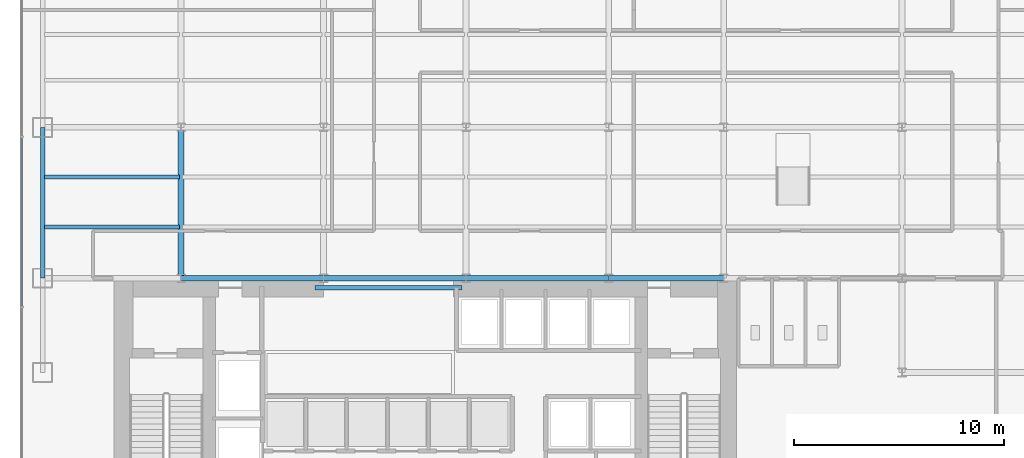
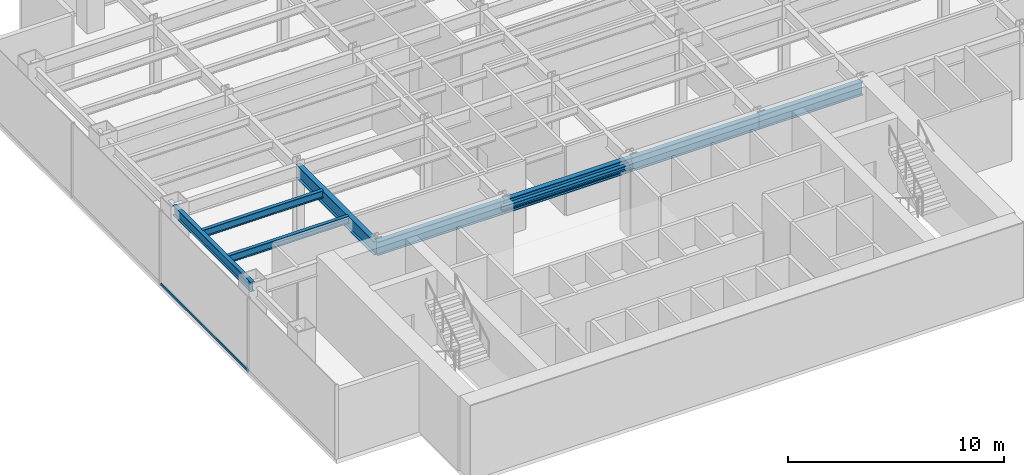
# One storey, part 3 of 35: 9 beams, 1 member, 1 element without a shape of its own.
"""IFC4 building model written with IfcOpenShell, lengths in metres."""

from ifc_helpers import new_model, si_unit, derived_unit, direction, frame, origin, origin_2d, place, context, subcontext, project, spatial, hollow_rectangle, i_section, extrude, source, transform, mapped, material, material_profile, profile_set, type_object, element, aggregate, save


model = new_model("IFC4")

# Units and contexts
model_context = context("Model", 3, precision=1e-05, world=origin(), true_north=direction((0.0, 1.0)))
body_context = subcontext(model_context, "Body", "Model", "MODEL_VIEW")
ifc_project = project(units=[si_unit("LENGTHUNIT", "METRE"), si_unit("AREAUNIT", "SQUARE_METRE"), si_unit("VOLUMEUNIT", "CUBIC_METRE"), si_unit("PLANEANGLEUNIT", "RADIAN"), si_unit("MASSUNIT", "GRAM", prefix="KILO"), derived_unit("THERMALTRANSMITTANCEUNIT", [(si_unit("POWERUNIT", "WATT"), 1), (si_unit("LENGTHUNIT", "METRE"), -2), (si_unit("THERMODYNAMICTEMPERATUREUNIT", "KELVIN"), -1)])], contexts=[model_context])

# Site, building, storey
site_placement = place(None, origin())
site = spatial("IfcSite", under=ifc_project, at=site_placement, CompositionType="ELEMENT")
building_placement = place(site_placement, origin())
building = spatial("IfcBuilding", under=site, at=building_placement, Name="Skarnbrae Concourse Arena and Tower", CompositionType="ELEMENT")
storey_placement = place(building_placement, frame((0.0, 0.0, 79.949951171875)))
storey = spatial("IfcBuildingStorey", under=building, at=storey_placement, Name="L19", CompositionType="ELEMENT", Elevation=79.949951171875)

# Beams
ifc_material_1 = material(Name="Steel CSA G40.21 350W", Category="steel")
ifc_material_profile_1 = material_profile(ifc_material_1, i_section(OverallWidth=0.202880859375, OverallDepth=0.251953125, WebThickness=0.008056640625, FlangeThickness=0.013427734375, at=origin_2d()), Name="W250X58")
ifc_profile_set_1 = profile_set([ifc_material_profile_1], Name="Steel CSA G40.21 350W")
beam_type_1 = type_object("IfcBeamType", Name="BM-LINTEL-W250X58", PredefinedType="LINTEL", material=ifc_profile_set_1)
shared_shape_1 = source(origin(), body_context, "Body", "SweptSolid", [
    extrude(i_section(OverallWidth=0.202880859375, OverallDepth=0.251953125, WebThickness=0.008056640625, FlangeThickness=0.013427734375, at=origin_2d()), origin(), (0.0, 0.0, 1.0), 7.0),
])
beam_1_placement = place(storey_placement, frame((14.0, 13.550048828125, 3.774169921875), z_axis=(1.0, 0.0, 0.0), x_axis=(0.0, 1.0, 0.0)))
element("IfcBeam", 1, at=beam_1_placement, inside=storey, type_object=beam_type_1, Name="L19 Core portal coupling lintel", PredefinedType="LINTEL", context=body_context, shape_type="MappedRepresentation", body=[
    mapped(shared_shape_1, transform((0.0, 0.0, 0.0))),
])
ifc_material_profile_2 = material_profile(ifc_material_1, i_section(OverallWidth=0.26806640625, OverallDepth=0.77001953125, WebThickness=0.015625, FlangeThickness=0.025390625, at=origin_2d()), Name="W760X196")
ifc_profile_set_2 = profile_set([ifc_material_profile_2], Name="Steel CSA G40.21 350W")
beam_type_2 = type_object("IfcBeamType", Name="BM-GIRD-W760X196", PredefinedType="BEAM", material=ifc_profile_set_2)
shared_shape_2 = source(origin(), body_context, "Body", "SweptSolid", [
    extrude(i_section(OverallWidth=0.26806640625, OverallDepth=0.77001953125, WebThickness=0.015625, FlangeThickness=0.025390625, at=origin_2d()), origin(), (0.0, 0.0, 1.0), 6.7998046875),
])
beam_2_placement = place(storey_placement, frame((7.60009765625, 14.0, 3.51513671875), z_axis=(1.0, 0.0, 0.0), x_axis=(0.0, 1.0, 0.0)))
element("IfcBeam", 2, at=beam_2_placement, inside=storey, type_object=beam_type_2, Name="L19 Primary E-W girder Y14.0-2", PredefinedType="BEAM", context=body_context, shape_type="MappedRepresentation", body=[
    mapped(shared_shape_2, transform((0.0, 0.0, 0.0))),
])
shared_shape_3 = source(origin(), body_context, "Body", "SweptSolid", [
    extrude(i_section(OverallWidth=0.26806640625, OverallDepth=0.77001953125, WebThickness=0.015625, FlangeThickness=0.025390625, at=origin_2d()), origin(), (0.0, 0.0, 1.0), 6.800048828125),
])
for number, where, z_axis, x_axis, name in (
    (3, (14.39990234375, 14.0, 3.51513671875), (1.0, 0.0, 0.0), (0.0, 1.0, 0.0), "L19 Primary E-W girder Y14.0-3"),
    (4, (21.199951171875, 14.0, 3.51513671875), (1.0, 0.0, 0.0), (0.0, 1.0, 0.0), "L19 Primary E-W girder Y14.0-4"),
):
    element("IfcBeam", number, at=place(storey_placement, frame(where, z_axis=z_axis, x_axis=x_axis)), inside=storey, type_object=beam_type_2, Name=name, PredefinedType="BEAM", context=body_context, shape_type="MappedRepresentation", body=[
        mapped(shared_shape_3, transform((0.0, 0.0, 0.0))),
    ])
shared_shape_4 = source(origin(), body_context, "Body", "SweptSolid", [
    extrude(i_section(OverallWidth=0.26806640625, OverallDepth=0.77001953125, WebThickness=0.015625, FlangeThickness=0.025390625, at=origin_2d()), origin(), (0.0, 0.0, 1.0), 5.5),
])
beam_3_placement = place(storey_placement, frame((28.0, 14.0, 3.51513671875), z_axis=(1.0, 0.0, 0.0), x_axis=(0.0, 1.0, 0.0)))
element("IfcBeam", 5, at=beam_3_placement, inside=storey, type_object=beam_type_2, Name="L19 Primary E-W girder Y14.0-5", PredefinedType="BEAM", context=body_context, shape_type="MappedRepresentation", body=[
    mapped(shared_shape_4, transform((0.0, 0.0, 0.0))),
])
ifc_material_profile_3 = material_profile(ifc_material_1, i_section(OverallWidth=0.214111328125, OverallDepth=0.549072265625, WebThickness=0.0146484375, FlangeThickness=0.023681640625, at=origin_2d()), Name="W530X138")
ifc_profile_set_3 = profile_set([ifc_material_profile_3], Name="Steel CSA G40.21 350W")
beam_type_3 = type_object("IfcBeamType", Name="BM-SPAN-W530X138", PredefinedType="SPANDREL", material=ifc_profile_set_3)
shared_shape_5 = source(origin(), body_context, "Body", "SweptSolid", [
    extrude(i_section(OverallWidth=0.214111328125, OverallDepth=0.549072265625, WebThickness=0.0146484375, FlangeThickness=0.023681640625, at=origin_2d()), origin(), (0.0, 0.0, 1.0), 7.199951171875),
])
beam_4_placement = place(storey_placement, frame((1.0, 14.0, 3.62548828125), z_axis=(0.0, 1.0, 0.0), x_axis=(-1.0, 0.0, 0.0)))
element("IfcBeam", 6, at=beam_4_placement, inside=storey, type_object=beam_type_3, Name="L19 Perimeter spandrel X1.0-2", PredefinedType="SPANDREL", context=body_context, shape_type="MappedRepresentation", body=[
    mapped(shared_shape_5, transform((0.0, 0.0, 0.0))),
])
shared_shape_6 = source(origin(), body_context, "Body", "SweptSolid", [
    extrude(i_section(OverallWidth=0.26806640625, OverallDepth=0.77001953125, WebThickness=0.015625, FlangeThickness=0.025390625, at=origin_2d()), origin(), (0.0, 0.0, 1.0), 7.199951171875),
])
beam_5_placement = place(storey_placement, frame((7.60009765625, 14.0, 3.51513671875), z_axis=(0.0, 1.0, 0.0), x_axis=(-1.0, 0.0, 0.0)))
element("IfcBeam", 7, at=beam_5_placement, inside=storey, type_object=beam_type_2, Name="L19 Primary N-S girder X7.6-1", PredefinedType="BEAM", context=body_context, shape_type="MappedRepresentation", body=[
    mapped(shared_shape_6, transform((0.0, 0.0, 0.0))),
])
ifc_material_profile_4 = material_profile(ifc_material_1, i_section(OverallWidth=0.180908203125, OverallDepth=0.4169921875, WebThickness=0.010986328125, FlangeThickness=0.018310546875, at=origin_2d()), Name="W410X85")
ifc_profile_set_4 = profile_set([ifc_material_profile_4], Name="Steel CSA G40.21 350W")
beam_type_4 = type_object("IfcBeamType", Name="BM-JOIST-W410X85", PredefinedType="JOIST", material=ifc_profile_set_4)
shared_shape_7 = source(origin(), body_context, "Body", "SweptSolid", [
    extrude(i_section(OverallWidth=0.180908203125, OverallDepth=0.4169921875, WebThickness=0.010986328125, FlangeThickness=0.018310546875, at=origin_2d()), origin(), (0.0, 0.0, 1.0), 6.43994140625),
])
for number, where, z_axis, x_axis, name in (
    (8, (1.080078125, 16.447998046875, 3.691650390625), (1.0, 0.0, 0.0), (0.0, 1.0, 0.0), "L19 Secondary floor joist 1.1.1"),
    (9, (1.080078125, 18.823974609375, 3.691650390625), (1.0, 0.0, 0.0), (0.0, 1.0, 0.0), "L19 Secondary floor joist 1.2.1"),
):
    element("IfcBeam", number, at=place(storey_placement, frame(where, z_axis=z_axis, x_axis=x_axis)), inside=storey, type_object=beam_type_4, Name=name, PredefinedType="JOIST", context=body_context, shape_type="MappedRepresentation", body=[
        mapped(shared_shape_7, transform((0.0, 0.0, 0.0))),
    ])

# Curtain wall, member
ifc_material_2 = material(Name="Bronze anodised aluminium 6063-T6", Category="aluminium")
curtain_wall_type = type_object("IfcCurtainWallType", Name="CW-SYS-06-SKYLOBBY", PredefinedType="USERDEFINED", material=ifc_material_2)
curtain_wall_placement = place(storey_placement, origin())
curtain_wall = element("IfcCurtainWall", 10, at=curtain_wall_placement, inside=storey, type_object=curtain_wall_type, Name="L19 Unitised curtain wall CW-L19-E19", ObjectType="UNITISED CURTAIN WALL", PredefinedType="USERDEFINED")
ifc_material_profile_5 = material_profile(ifc_material_2, hollow_rectangle(XDim=0.070068359375, YDim=0.135009765625, WallThickness=0.00390625, at=origin_2d()), Name="ALU-TRAN-70X135")
ifc_profile_set_5 = profile_set([ifc_material_profile_5], Name="Bronze anodised aluminium 6063-T6")
member_type = type_object("IfcMemberType", Name="CWT-CW-06", PredefinedType="USERDEFINED", material=ifc_profile_set_5)
shared_shape_8 = source(origin(), body_context, "Body", "SweptSolid", [
    extrude(hollow_rectangle(XDim=0.070068359375, YDim=0.135009765625, WallThickness=0.00390625, at=origin_2d()), origin(), (0.0, 0.0, 1.0), 8.05517578125),
])
member_placement = place(storey_placement, frame((0.0, 20.715087890625, 0.067626953125), z_axis=(0.0, -1.0, 0.0), x_axis=(1.0, 0.0, 0.0)))
member = element("IfcMember", 11, at=member_placement, type_object=member_type, Name="CW-L19-E19 Transom 3", ObjectType="TRANSOM", PredefinedType="USERDEFINED", context=body_context, shape_type="MappedRepresentation", body=[
    mapped(shared_shape_8, transform((0.0, 0.0, 0.0))),
])
aggregate(curtain_wall, [member])

save(model, "model.ifc")
